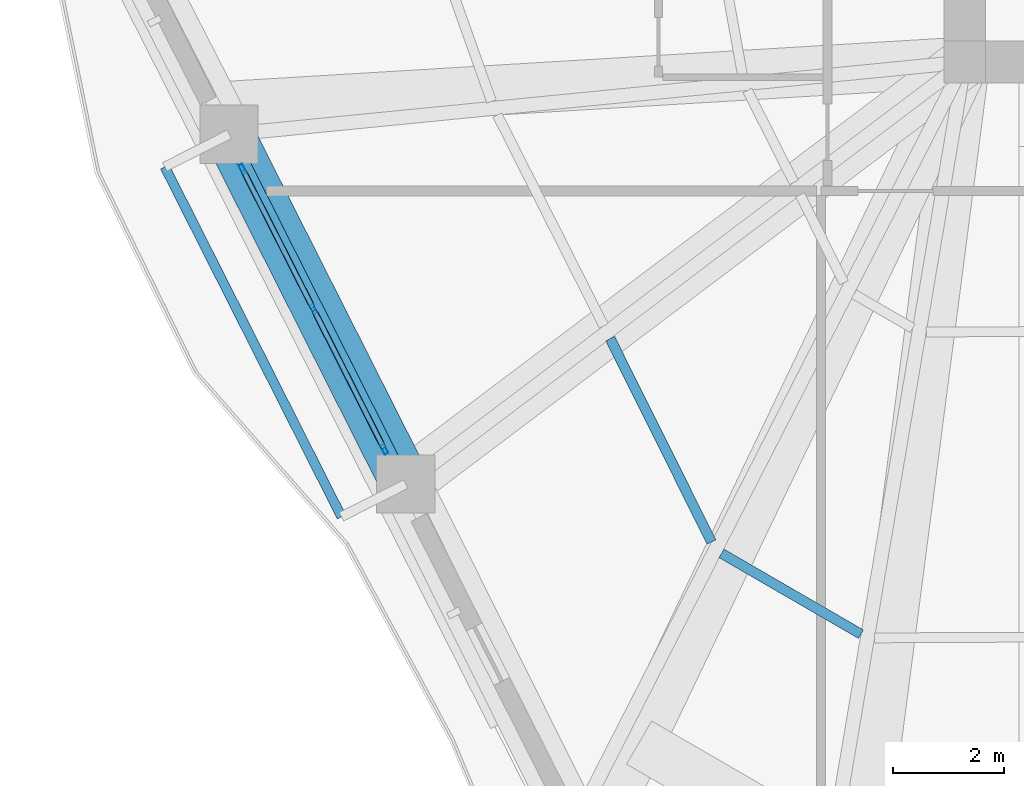
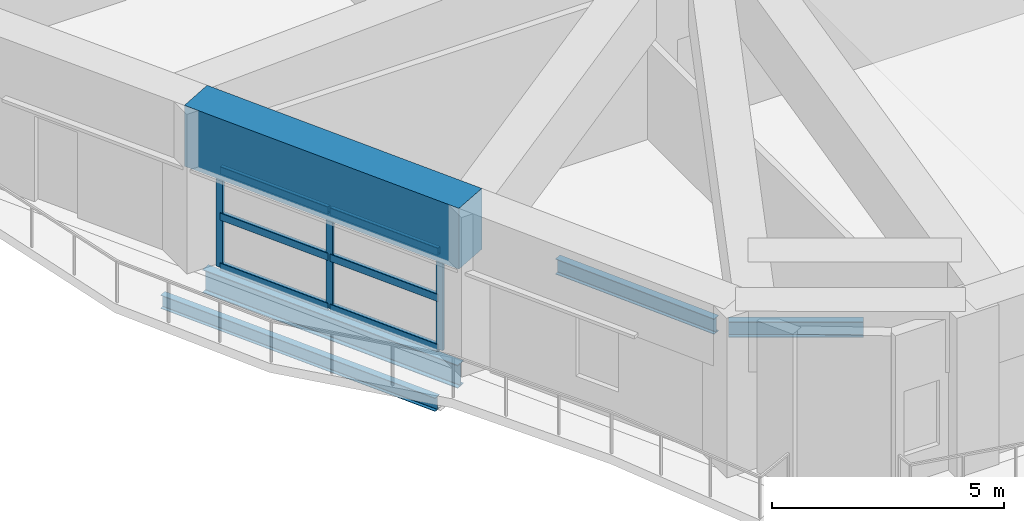
# One storey, part 2 of 23: 9 members, 5 beams, 1 element without a shape of its own.
"""IFC4 building model written with IfcOpenShell, lengths in metres."""

import ifcopenshell
import ifcopenshell.guid

model = None  # the IFC model being written
_history = None  # IfcOwnerHistory: only IFC2X3 demands one
_inside = {}  # id of a spatial element -> (the spatial element, [elements in it])
_under = {}  # id of a project, library or spatial element -> (it, [spatial elements below it])
_declared = {}  # id of a project -> (the project, [libraries it declares])
_typed = {}  # id of a type object -> (the type object, [elements of that type])
_made_of = {}  # id of a material, layer set ... -> (it, [elements and type objects made of it])


def new_model(schema):
    """Start an empty IFC model of exactly this schema.

    Asked for "IFC4X3", IfcOpenShell would pick the latest addendum, in which some entities
    have other attributes; the version numbers below select the first issue.
    IFC2X3 requires an IfcOwnerHistory on every rooted entity: one is made here for all.
    """
    global model, _history
    if schema == "IFC4X3":
        model = ifcopenshell.file(schema_version=(4, 3, 0, 0))
    else:
        model = ifcopenshell.file(schema=schema)
    _inside.clear()
    _under.clear()
    _declared.clear()
    _typed.clear()
    _made_of.clear()
    _history = None
    if model.schema == "IFC2X3":
        org = make("IfcOrganization", Name="unknown")
        user = make(
            "IfcPersonAndOrganization",
            ThePerson=make("IfcPerson", FamilyName="unknown"),
            TheOrganization=org,
        )
        app = make(
            "IfcApplication",
            ApplicationDeveloper=org,
            Version="unknown",
            ApplicationFullName="unknown",
            ApplicationIdentifier="unknown",
        )
        _history = make(
            "IfcOwnerHistory",
            OwningUser=user,
            OwningApplication=app,
            ChangeAction="ADDED",
            CreationDate=0,
        )
    return model


def make(cls, **values):
    """One entity of the class cls with the attributes given. An attribute that is None is left unset."""
    return model.create_entity(
        cls, **{name: value for name, value in values.items() if value is not None}
    )


def rooted(cls, **values):
    """An entity with a GlobalId (a new one), such as an element, a storey or a relation."""
    return make(cls, GlobalId=ifcopenshell.guid.new(), OwnerHistory=_history, **values)


def si_unit(unit_type, name, prefix=None):
    """IfcSIUnit, for example si_unit("LENGTHUNIT", "METRE", prefix="MILLI")."""
    return make("IfcSIUnit", UnitType=unit_type, Prefix=prefix, Name=name)


def assignment(units):
    """IfcUnitAssignment: the units of a project."""
    return None if units is None else make("IfcUnitAssignment", Units=units)


def point(xyz):
    """IfcCartesianPoint."""
    return None if xyz is None else make("IfcCartesianPoint", Coordinates=xyz)


def direction(xyz):
    """IfcDirection."""
    return None if xyz is None else make("IfcDirection", DirectionRatios=xyz)


def frame(location, z_axis=None, x_axis=None):
    """IfcAxis2Placement3D, a coordinate frame: its origin and axes. An axis left out is left unset."""
    return make(
        "IfcAxis2Placement3D",
        Location=point(location),
        Axis=direction(z_axis),
        RefDirection=direction(x_axis),
    )


def frame_2d(location, x_axis=None):
    """IfcAxis2Placement2D, a coordinate frame in the plane: its origin and x axis."""
    return make(
        "IfcAxis2Placement2D", Location=point(location), RefDirection=direction(x_axis)
    )


def origin():
    """The frame at (0, 0, 0) with its axes left unset."""
    return frame((0.0, 0.0, 0.0))


def origin_2d():
    """The frame at (0, 0) in the plane with its x axis left unset."""
    return frame_2d((0.0, 0.0))


def place(relative_to, where):
    """IfcLocalPlacement: puts the frame where relative to a parent placement (None: the world)."""
    return make(
        "IfcLocalPlacement", PlacementRelTo=relative_to, RelativePlacement=where
    )


def context(
    kind, dimensions, precision=None, world=None, true_north=None, identifier=None
):
    """IfcGeometricRepresentationContext, for example the 3D "Model" context."""
    return make(
        "IfcGeometricRepresentationContext",
        ContextIdentifier=identifier,
        ContextType=kind,
        CoordinateSpaceDimension=dimensions,
        Precision=precision,
        WorldCoordinateSystem=world,
        TrueNorth=true_north,
    )


def subcontext(parent, identifier, kind, view, scale=None):
    """IfcGeometricRepresentationSubContext, for example "Body" below "Model"."""
    return make(
        "IfcGeometricRepresentationSubContext",
        ContextIdentifier=identifier,
        ContextType=kind,
        ParentContext=parent,
        TargetScale=scale,
        TargetView=view,
    )


def project(units=None, contexts=None):
    """IfcProject with its units and contexts."""
    return rooted(
        "IfcProject",
        Name="project",
        RepresentationContexts=contexts,
        UnitsInContext=assignment(units),
    )


def spatial(cls, under=None, at=None, **own):
    """A site, building, storey or space (cls), placed at a placement, below another one or the project."""
    s = rooted(cls, ObjectPlacement=at, **own)
    if under is not None:
        _under.setdefault(under.id(), (under, []))[1].append(s)
    return s


def profile(cls, at=None, kind="AREA", **sizes):
    """A parametric profile (cls). Its sizes go by their IFC names, for example OverallWidth=200.0."""
    return make(cls, ProfileType=kind, Position=at, **sizes)


def rectangle(**sizes):
    """IfcRectangleProfileDef."""
    return profile("IfcRectangleProfileDef", **sizes)


def hollow_rectangle(**sizes):
    """IfcRectangleHollowProfileDef."""
    return profile("IfcRectangleHollowProfileDef", **sizes)


def i_section(**sizes):
    """IfcIShapeProfileDef."""
    return profile("IfcIShapeProfileDef", **sizes)


def extrude(swept, where, along, depth):
    """IfcExtrudedAreaSolid: the profile swept, set in the frame where, extruded along a direction by depth."""
    return make(
        "IfcExtrudedAreaSolid",
        SweptArea=swept,
        Position=where,
        ExtrudedDirection=direction(along),
        Depth=depth,
    )


def shape(context_of_items, identifier, shape_type, items):
    """IfcShapeRepresentation: the items that make up one representation, for example the "Body"."""
    return make(
        "IfcShapeRepresentation",
        ContextOfItems=context_of_items,
        RepresentationIdentifier=identifier,
        RepresentationType=shape_type,
        Items=items,
    )


def material(Name=None, Category=None):
    """IfcMaterial."""
    return make("IfcMaterial", Name=Name, Category=Category)


def layer(
    of_material, thickness, ventilated=None, Name=None, Category=None, Priority=None
):
    """IfcMaterialLayer: one layer of a wall or slab, of a material (None: an air gap)."""
    return make(
        "IfcMaterialLayer",
        Material=of_material,
        LayerThickness=thickness,
        IsVentilated=ventilated,
        Name=Name,
        Category=Category,
        Priority=Priority,
    )


def layer_set(layers, Name=None):
    """IfcMaterialLayerSet."""
    return make("IfcMaterialLayerSet", MaterialLayers=layers, LayerSetName=Name)


def material_profile(
    of_material, cross_section, Name=None, Category=None, Priority=None
):
    """IfcMaterialProfile: a cross section and its material."""
    return make(
        "IfcMaterialProfile",
        Name=Name,
        Material=of_material,
        Profile=cross_section,
        Priority=Priority,
        Category=Category,
    )


def profile_set(profiles, Name=None, composite=None):
    """IfcMaterialProfileSet."""
    return make(
        "IfcMaterialProfileSet",
        Name=Name,
        MaterialProfiles=profiles,
        CompositeProfile=composite,
    )


def made_of(thing, what):
    """Note that an element or type object is made of a material, layer set ...; save() writes the relation."""
    if what is not None:
        _made_of.setdefault(what.id(), (what, []))[1].append(thing)
    return thing


def type_object(cls, material=None, **own):
    """A type object (cls), such as IfcWallType, which elements share."""
    return made_of(rooted(cls, **own), material)


def element(
    cls,
    number,
    at=None,
    inside=None,
    cuts=None,
    type_object=None,
    material=None,
    context=None,
    identifier="Body",
    shape_type=None,
    held_by="IfcProductDefinitionShape",
    body=None,
    shapes=None,
    **own,
):
    """One element of the class cls, such as IfcWall. Its Tag is "e" and its number.

    at: its placement. inside: the storey or other place that contains it. cuts: it is an
    opening in that element (IfcRelVoidsElement). A single representation is given by context,
    identifier, shape_type and body (its items); several are given by shapes. held_by: the class
    of the entity that holds the representations. save() writes the other relations.
    """
    e = rooted(cls, Tag="e%d" % number, ObjectPlacement=at, **own)
    if body is not None:
        shapes = [shape(context, identifier, shape_type, body)]
    if shapes is not None:
        e.Representation = make(held_by, Representations=shapes)
    if inside is not None:
        _inside.setdefault(inside.id(), (inside, []))[1].append(e)
    if cuts is not None:
        rooted(
            "IfcRelVoidsElement", RelatingBuildingElement=cuts, RelatedOpeningElement=e
        )
    if type_object is not None:
        _typed.setdefault(type_object.id(), (type_object, []))[1].append(e)
    return made_of(e, material)


def aggregate(whole, parts):
    """IfcRelAggregates: a whole, such as a stair, and the parts it consists of."""
    return rooted("IfcRelAggregates", RelatingObject=whole, RelatedObjects=parts)


def save(model, path):
    """Write the relations noted so far, then the file.

    IfcRelAggregates (storeys below a building ...), IfcRelContainedInSpatialStructure (elements
    in a storey), IfcRelDefinesByType, IfcRelAssociatesMaterial and IfcRelDeclares: one each for
    every whole, place, type object, material and project.
    """
    for whole, parts in _under.values():
        aggregate(whole, parts)
    for where, things in _inside.values():
        rooted(
            "IfcRelContainedInSpatialStructure",
            RelatedElements=things,
            RelatingStructure=where,
        )
    for kind, things in _typed.values():
        rooted("IfcRelDefinesByType", RelatedObjects=things, RelatingType=kind)
    for what, things in _made_of.values():
        rooted("IfcRelAssociatesMaterial", RelatedObjects=things, RelatingMaterial=what)
    for by, libraries in _declared.values():
        rooted("IfcRelDeclares", RelatingContext=by, RelatedDefinitions=libraries)
    model.write(path)


model = new_model("IFC4")

# Units and contexts
model_context = context("Model", 3, precision=1e-05, world=origin(), true_north=direction((0.0, 1.0)))
body_context = subcontext(model_context, "Body", "Model", "MODEL_VIEW")
ifc_project = project(units=[si_unit("LENGTHUNIT", "METRE"), si_unit("AREAUNIT", "SQUARE_METRE"), si_unit("VOLUMEUNIT", "CUBIC_METRE"), si_unit("PLANEANGLEUNIT", "RADIAN"), si_unit("MASSUNIT", "GRAM", prefix="KILO")], contexts=[model_context])

# Site, building, storey
site_placement = place(None, origin())
site = spatial("IfcSite", under=ifc_project, at=site_placement, CompositionType="ELEMENT")
building_placement = place(site_placement, origin())
building = spatial("IfcBuilding", under=site, at=building_placement, Name="Cinnabar Lancet Tower", CompositionType="ELEMENT")
storey_placement = place(building_placement, frame((0.0, 0.0, 94.199951171875)))
storey = spatial("IfcBuildingStorey", under=building, at=storey_placement, Name="L24", CompositionType="ELEMENT", Elevation=94.199951171875)

# Curtain wall, members
ifc_material_1 = material(Name="Thermally broken bronze-anodized aluminium and low-E glass", Category="aluminium")
ifc_layer = layer(ifc_material_1, 0.179931640625)
ifc_layer_set = layer_set([ifc_layer], Name="Thermally broken bronze-anodized aluminium and low-E glass")
curtain_wall_type = type_object("IfcCurtainWallType", Name="ENV-CW-SYS-03", PredefinedType="NOTDEFINED", material=ifc_layer_set)
curtain_wall_placement = place(storey_placement, origin())
curtain_wall = element("IfcCurtainWall", 1, at=curtain_wall_placement, inside=storey, type_object=curtain_wall_type, Name="L24 Face 6 Feature Curtain Wall", PredefinedType="NOTDEFINED")
ifc_material_2 = material(Name="Anodized architectural aluminium 6063-T6", Category="aluminium")
ifc_material_profile_1 = material_profile(ifc_material_2, hollow_rectangle(XDim=0.074951171875, YDim=0.179931640625, WallThickness=0.00390625, InnerFilletRadius=0.001953125, OuterFilletRadius=0.006103515625, at=origin_2d()), Name="CW-MUL 180x75x4")
ifc_profile_set_1 = profile_set([ifc_material_profile_1], Name="Anodized architectural aluminium 6063-T6")
member_type_1 = type_object("IfcMemberType", Name="ENV-CW-MUL-180", PredefinedType="MULLION", material=ifc_profile_set_1)
member_1_placement = place(storey_placement, frame((9.99755859375, 16.59228515625, 0.0), z_axis=(0.0, 0.0, 1.0), x_axis=(0.892286310468, 0.451469977022, 0.0)))
member_1 = element("IfcMember", 2, at=member_1_placement, type_object=member_type_1, Name="CW-03 mullion 1", PredefinedType="MULLION", context=body_context, shape_type="SweptSolid", body=[
    extrude(hollow_rectangle(XDim=0.074951171875, YDim=0.179931640625, WallThickness=0.00390625, InnerFilletRadius=0.001953125, OuterFilletRadius=0.006103515625, at=origin_2d()), origin(), (0.0, 0.0, 1.0), 2.590087890625),
])
member_2_placement = place(storey_placement, frame((11.276611328125, 14.064453125, 0.0), z_axis=(0.0, 0.0, 1.0), x_axis=(0.892286310468, 0.451469977022, 0.0)))
member_2 = element("IfcMember", 3, at=member_2_placement, type_object=member_type_1, Name="CW-03 mullion 2", PredefinedType="MULLION", context=body_context, shape_type="SweptSolid", body=[
    extrude(hollow_rectangle(XDim=0.074951171875, YDim=0.179931640625, WallThickness=0.00390625, InnerFilletRadius=0.001953125, OuterFilletRadius=0.006103515625, at=origin_2d()), origin(), (0.0, 0.0, 1.0), 2.590087890625),
])
member_3_placement = place(storey_placement, frame((12.555419921875, 11.536865234375, 0.0), z_axis=(0.0, 0.0, 1.0), x_axis=(0.892286310468, 0.451469977022, 0.0)))
member_3 = element("IfcMember", 4, at=member_3_placement, type_object=member_type_1, Name="CW-03 mullion 3", PredefinedType="MULLION", context=body_context, shape_type="SweptSolid", body=[
    extrude(hollow_rectangle(XDim=0.074951171875, YDim=0.179931640625, WallThickness=0.00390625, InnerFilletRadius=0.001953125, OuterFilletRadius=0.006103515625, at=origin_2d()), origin(), (0.0, 0.0, 1.0), 2.590087890625),
])
ifc_material_3 = material(Name="Anodized architectural aluminium 6063-T6", Category="aluminium")
ifc_material_profile_2 = material_profile(ifc_material_3, hollow_rectangle(XDim=0.10009765625, YDim=0.199951171875, WallThickness=0.008056640625, InnerFilletRadius=0.00390625, OuterFilletRadius=0.011962890625, at=origin_2d()), Name="RHS 200x100x8")
ifc_profile_set_2 = profile_set([ifc_material_profile_2], Name="Anodized architectural aluminium 6063-T6")
member_type_2 = type_object("IfcMemberType", Name="ENV-CW-TRN-140", PredefinedType="USERDEFINED", material=ifc_profile_set_2)
member_4_placement = place(storey_placement, frame((10.010986328125, 16.5654296875, 0.030029296875), z_axis=(0.451505129985, -0.892268523258, 0.0), x_axis=(0.892268523258, 0.451505129985, 0.0)))
member_4 = element("IfcMember", 5, at=member_4_placement, type_object=member_type_2, Name="CW-03 transom 1.1", ObjectType="TRANSOM", PredefinedType="USERDEFINED", context=body_context, shape_type="SweptSolid", body=[
    extrude(hollow_rectangle(XDim=0.10009765625, YDim=0.199951171875, WallThickness=0.008056640625, InnerFilletRadius=0.00390625, OuterFilletRadius=0.011962890625, at=origin_2d()), origin(), (0.0, 0.0, 1.0), 2.77294921875),
])
member_5_placement = place(storey_placement, frame((10.010986328125, 16.5654296875, 1.34716796875), z_axis=(0.451505129985, -0.892268523258, 0.0), x_axis=(0.892268523258, 0.451505129985, 0.0)))
member_5 = element("IfcMember", 6, at=member_5_placement, type_object=member_type_2, Name="CW-03 transom 1.2", ObjectType="TRANSOM", PredefinedType="USERDEFINED", context=body_context, shape_type="SweptSolid", body=[
    extrude(hollow_rectangle(XDim=0.10009765625, YDim=0.199951171875, WallThickness=0.008056640625, InnerFilletRadius=0.00390625, OuterFilletRadius=0.011962890625, at=origin_2d()), origin(), (0.0, 0.0, 1.0), 2.77294921875),
])
member_6_placement = place(storey_placement, frame((10.010986328125, 16.5654296875, 2.56005859375), z_axis=(0.451505129985, -0.892268523258, 0.0), x_axis=(0.892268523258, 0.451505129985, 0.0)))
member_6 = element("IfcMember", 7, at=member_6_placement, type_object=member_type_2, Name="CW-03 transom 1.3", ObjectType="TRANSOM", PredefinedType="USERDEFINED", context=body_context, shape_type="SweptSolid", body=[
    extrude(hollow_rectangle(XDim=0.10009765625, YDim=0.199951171875, WallThickness=0.008056640625, InnerFilletRadius=0.00390625, OuterFilletRadius=0.011962890625, at=origin_2d()), origin(), (0.0, 0.0, 1.0), 2.77294921875),
])
member_7_placement = place(storey_placement, frame((11.2900390625, 14.037841796875, 0.030029296875), z_axis=(0.451469661455, -0.892286470135, 0.0), x_axis=(0.892286470135, 0.451469661455, 0.0)))
member_7 = element("IfcMember", 8, at=member_7_placement, type_object=member_type_2, Name="CW-03 transom 2.1", ObjectType="TRANSOM", PredefinedType="USERDEFINED", context=body_context, shape_type="SweptSolid", body=[
    extrude(hollow_rectangle(XDim=0.10009765625, YDim=0.199951171875, WallThickness=0.008056640625, InnerFilletRadius=0.00390625, OuterFilletRadius=0.011962890625, at=origin_2d()), origin(), (0.0, 0.0, 1.0), 2.77294921875),
])
member_8_placement = place(storey_placement, frame((11.2900390625, 14.037841796875, 1.34716796875), z_axis=(0.451469661455, -0.892286470135, 0.0), x_axis=(0.892286470135, 0.451469661455, 0.0)))
member_8 = element("IfcMember", 9, at=member_8_placement, type_object=member_type_2, Name="CW-03 transom 2.2", ObjectType="TRANSOM", PredefinedType="USERDEFINED", context=body_context, shape_type="SweptSolid", body=[
    extrude(hollow_rectangle(XDim=0.10009765625, YDim=0.199951171875, WallThickness=0.008056640625, InnerFilletRadius=0.00390625, OuterFilletRadius=0.011962890625, at=origin_2d()), origin(), (0.0, 0.0, 1.0), 2.77294921875),
])
member_9_placement = place(storey_placement, frame((11.2900390625, 14.037841796875, 2.56005859375), z_axis=(0.451469661455, -0.892286470135, 0.0), x_axis=(0.892286470135, 0.451469661455, 0.0)))
member_9 = element("IfcMember", 10, at=member_9_placement, type_object=member_type_2, Name="CW-03 transom 2.3", ObjectType="TRANSOM", PredefinedType="USERDEFINED", context=body_context, shape_type="SweptSolid", body=[
    extrude(hollow_rectangle(XDim=0.10009765625, YDim=0.199951171875, WallThickness=0.008056640625, InnerFilletRadius=0.00390625, OuterFilletRadius=0.011962890625, at=origin_2d()), origin(), (0.0, 0.0, 1.0), 2.77294921875),
])
aggregate(curtain_wall, [member_1, member_2, member_3, member_4, member_5, member_6, member_7, member_8, member_9])

# Beams
ifc_material_4 = material(Name="Concrete C70/85", Category="concrete")
ifc_material_profile_3 = material_profile(ifc_material_4, rectangle(XDim=0.89990234375, YDim=1.60009765625, at=origin_2d()), Name="RC-BG 900x1600")
ifc_profile_set_3 = profile_set([ifc_material_profile_3], Name="Concrete C70/85")
beam_type_1 = type_object("IfcBeamType", Name="STR-BM-BG-1600", PredefinedType="BEAM", material=ifc_profile_set_3)
beam_1_placement = place(storey_placement, frame((9.75390625, 17.219970703125, 3.400146484375), z_axis=(0.450773692627, -0.892638268301, 0.0), x_axis=(0.892638268301, 0.450773692627, 0.0)))
element("IfcBeam", 11, at=beam_1_placement, inside=storey, type_object=beam_type_1, Name="L25 Setback Outer Ring Girder 22", PredefinedType="BEAM", context=body_context, shape_type="SweptSolid", body=[
    extrude(rectangle(XDim=0.89990234375, YDim=1.60009765625, at=origin_2d()), origin(), (0.0, 0.0, 1.0), 7.070068359375),
])
ifc_material_5 = material(Name="Structural steel S355", Category="steel")
ifc_material_profile_4 = material_profile(ifc_material_5, i_section(OverallWidth=0.177978515625, OverallDepth=0.406494140625, WebThickness=0.0078125, FlangeThickness=0.0126953125, FilletRadius=0.01025390625, at=origin_2d()), Name="UKB 406x178x60")
ifc_profile_set_4 = profile_set([ifc_material_profile_4], Name="Structural steel S355")
beam_type_2 = type_object("IfcBeamType", Name="STR-BM-JST-406", PredefinedType="JOIST", material=ifc_profile_set_4)
beam_2_placement = place(storey_placement, frame((16.62890625, 13.534912109375, -0.4228515625), z_axis=(0.445879271348, -0.895093109896, 0.0), x_axis=(0.895093109896, 0.445879271348, 0.0)))
element("IfcBeam", 12, at=beam_2_placement, inside=storey, type_object=beam_type_2, Name="L24 Secondary Floor Joist 5", PredefinedType="JOIST", context=body_context, shape_type="SweptSolid", body=[
    extrude(i_section(OverallWidth=0.177978515625, OverallDepth=0.406494140625, WebThickness=0.0078125, FlangeThickness=0.0126953125, FilletRadius=0.01025390625, at=origin_2d()), origin(), (0.0, 0.0, 1.0), 4.10009765625),
])
beam_3_placement = place(storey_placement, frame((18.636962890625, 9.659912109375, -0.4228515625), z_axis=(0.865230791262, -0.501373790551, 0.0), x_axis=(0.501373790551, 0.865230791262, 0.0)))
element("IfcBeam", 13, at=beam_3_placement, inside=storey, type_object=beam_type_2, Name="L24 Secondary Floor Joist 7", PredefinedType="JOIST", context=body_context, shape_type="SweptSolid", body=[
    extrude(i_section(OverallWidth=0.177978515625, OverallDepth=0.406494140625, WebThickness=0.0078125, FlangeThickness=0.0126953125, FilletRadius=0.01025390625, at=origin_2d()), origin(), (0.0, 0.0, 1.0), 2.907958984375),
])
ifc_material_6 = material(Name="Structural steel S355", Category="steel")
ifc_material_profile_5 = material_profile(ifc_material_6, i_section(OverallWidth=0.228271484375, OverallDepth=0.607666015625, WebThickness=0.010986328125, FlangeThickness=0.017333984375, FilletRadius=0.0126953125, at=origin_2d()), Name="UKB 610x229x113")
ifc_profile_set_5 = profile_set([ifc_material_profile_5], Name="Structural steel S355")
beam_type_3 = type_object("IfcBeamType", Name="STR-BM-SPN-610", PredefinedType="SPANDREL", material=ifc_profile_set_5)
beam_4_placement = place(storey_placement, frame((9.866943359375, 16.9970703125, -0.52392578125), z_axis=(0.450673532306, -0.892688841242, 0.0), x_axis=(0.892688841242, 0.450673532306, 0.0)))
element("IfcBeam", 14, at=beam_4_placement, inside=storey, type_object=beam_type_3, Name="L24 Perimeter Spandrel 22", PredefinedType="SPANDREL", context=body_context, shape_type="SweptSolid", body=[
    extrude(i_section(OverallWidth=0.228271484375, OverallDepth=0.607666015625, WebThickness=0.010986328125, FlangeThickness=0.017333984375, FilletRadius=0.0126953125, at=origin_2d()), origin(), (0.0, 0.0, 1.0), 6.570068359375),
])
ifc_material_7 = material(Name="Structural steel S355", Category="steel")
ifc_material_profile_6 = material_profile(ifc_material_7, i_section(OverallWidth=0.17138671875, OverallDepth=0.35498046875, WebThickness=0.00732421875, FlangeThickness=0.011474609375, FilletRadius=0.01025390625, at=origin_2d()), Name="UKB 356x171x51")
ifc_profile_set_6 = profile_set([ifc_material_profile_6], Name="Structural steel S355")
beam_type_4 = type_object("IfcBeamType", Name="STR-BM-WAV-TRIM", PredefinedType="SPANDREL", material=ifc_profile_set_6)
beam_5_placement = place(storey_placement, frame((8.593994140625, 16.633056640625, -0.41796875), z_axis=(0.450773692627, -0.892638268301, 0.0), x_axis=(0.892638268301, 0.450773692627, 0.0)))
element("IfcBeam", 15, at=beam_5_placement, inside=storey, type_object=beam_type_4, Name="L24 Face 6 Balcony Edge Trimmer", PredefinedType="SPANDREL", context=body_context, shape_type="SweptSolid", body=[
    extrude(i_section(OverallWidth=0.17138671875, OverallDepth=0.35498046875, WebThickness=0.00732421875, FlangeThickness=0.011474609375, FilletRadius=0.01025390625, at=origin_2d()), origin(), (0.0, 0.0, 1.0), 7.070068359375),
])

save(model, "model.ifc")
